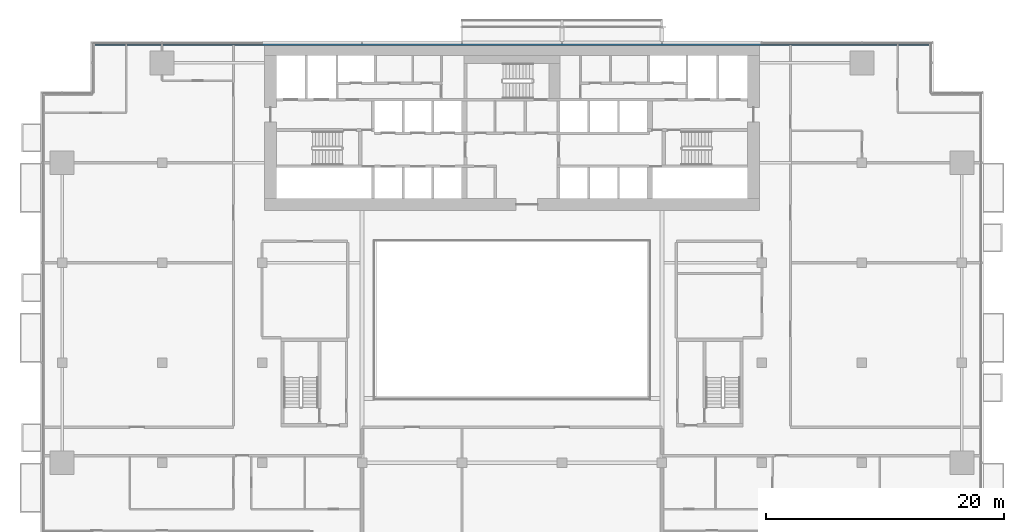
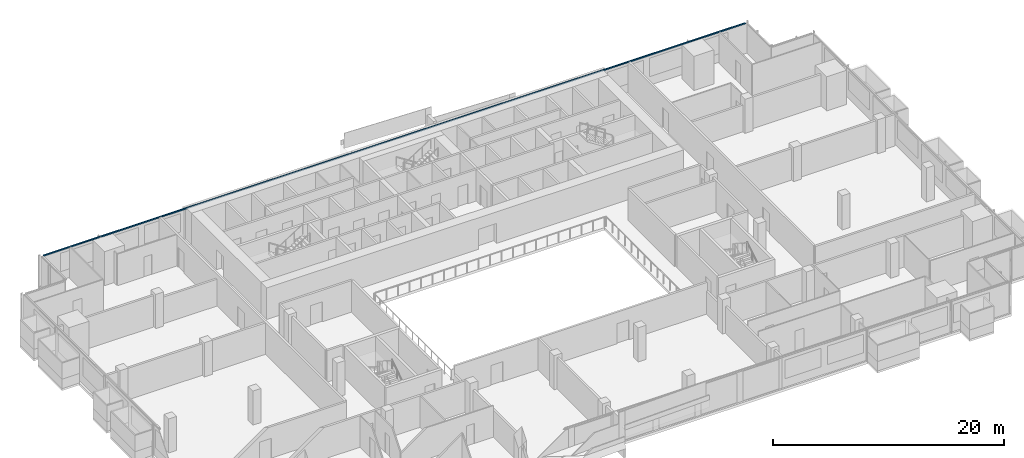
# One storey, part 9 of 26: 1 member, 1 element without a shape of its own.
"""IFC4 building model written with IfcOpenShell, lengths in metres."""

from ifc_helpers import new_model, si_unit, direction, frame, origin, origin_2d, place, context, subcontext, project, spatial, rectangle, extrude, material, material_profile, profile_set, type_object, element, aggregate, save


model = new_model("IFC4")

# Units and contexts
model_context = context("Model", 3, precision=1e-05, world=origin(), true_north=direction((0.0, 1.0)))
body_context = subcontext(model_context, "Body", "Model", "MODEL_VIEW")
ifc_project = project(units=[si_unit("LENGTHUNIT", "METRE"), si_unit("AREAUNIT", "SQUARE_METRE"), si_unit("VOLUMEUNIT", "CUBIC_METRE"), si_unit("PLANEANGLEUNIT", "RADIAN"), si_unit("MASSUNIT", "GRAM", prefix="KILO")], contexts=[model_context])

# Site, building, storey
site_placement = place(None, origin())
site = spatial("IfcSite", under=ifc_project, at=site_placement, CompositionType="ELEMENT")
building_placement = place(site_placement, origin())
building = spatial("IfcBuilding", under=site, at=building_placement, Name="Saffron Gate Tower", CompositionType="ELEMENT")
storey_placement = place(building_placement, frame((0.0, 0.0, 98.85009765625)))
storey = spatial("IfcBuildingStorey", under=building, at=storey_placement, Name="L22", CompositionType="ELEMENT", Elevation=98.85009765625)

# Curtain wall, member
ifc_material = material(Name="Aluminium, bronze anodised", Category="aluminium")
curtain_wall_type = type_object("IfcCurtainWallType", Name="CWS3 curtain wall rear facade", PredefinedType="NOTDEFINED", material=ifc_material)
curtain_wall_placement = place(storey_placement, origin())
curtain_wall = element("IfcCurtainWall", 1, at=curtain_wall_placement, inside=storey, type_object=curtain_wall_type, Name="CWS3 run 7", PredefinedType="NOTDEFINED")
ifc_material_profile = material_profile(ifc_material, rectangle(XDim=0.1201171875, YDim=0.1201171875, at=origin_2d()))
ifc_profile_set = profile_set([ifc_material_profile], Name="Aluminium, bronze anodised")
member_type = type_object("IfcMemberType", Name="CWS3 head transom", PredefinedType="USERDEFINED", material=ifc_profile_set)
member_placement = place(storey_placement, frame((122.632080078125, 75.35205078125, 3.260009765625), z_axis=(-1.0, 0.0, 0.0), x_axis=(0.0, -1.0, 0.0)))
member = element("IfcMember", 2, at=member_placement, type_object=member_type, Name="CWS3 head transom", ObjectType="TRANSOM", PredefinedType="USERDEFINED", context=body_context, shape_type="SweptSolid", body=[
    extrude(rectangle(XDim=0.1201171875, YDim=0.1201171875, at=origin_2d()), origin(), (0.0, 0.0, 1.0), 70.06396484375),
])
aggregate(curtain_wall, [member])

save(model, "model.ifc")
